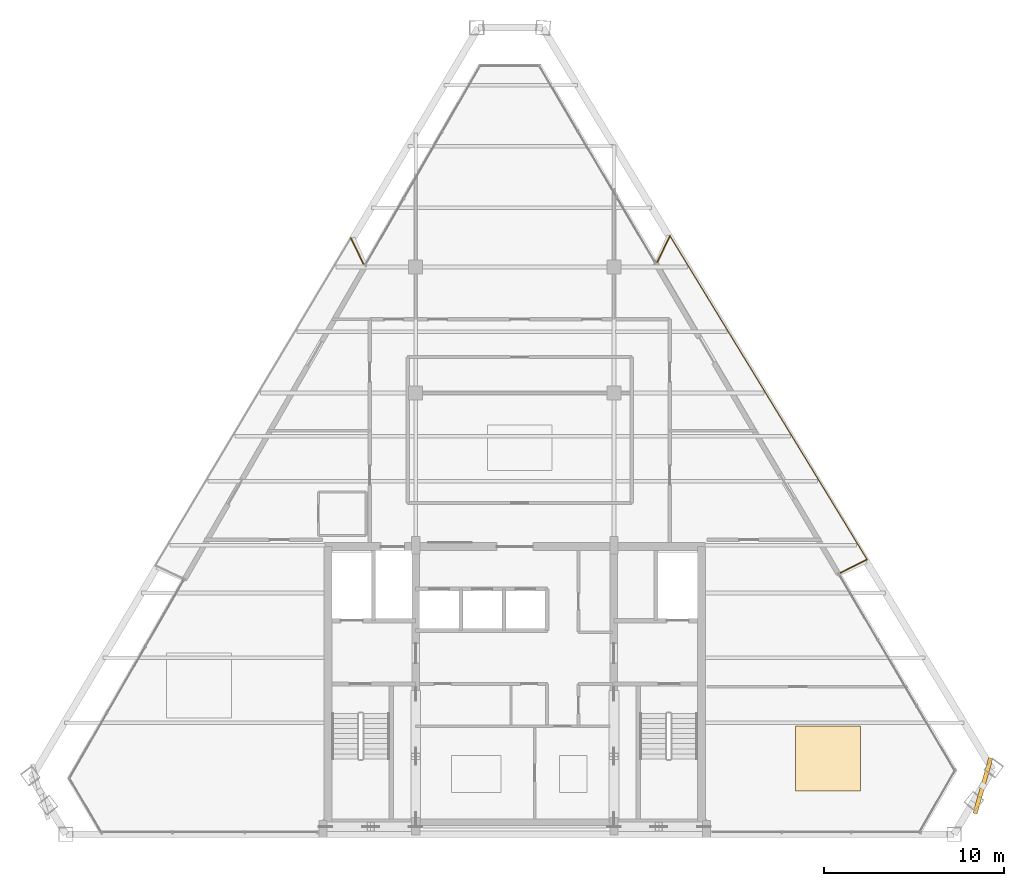
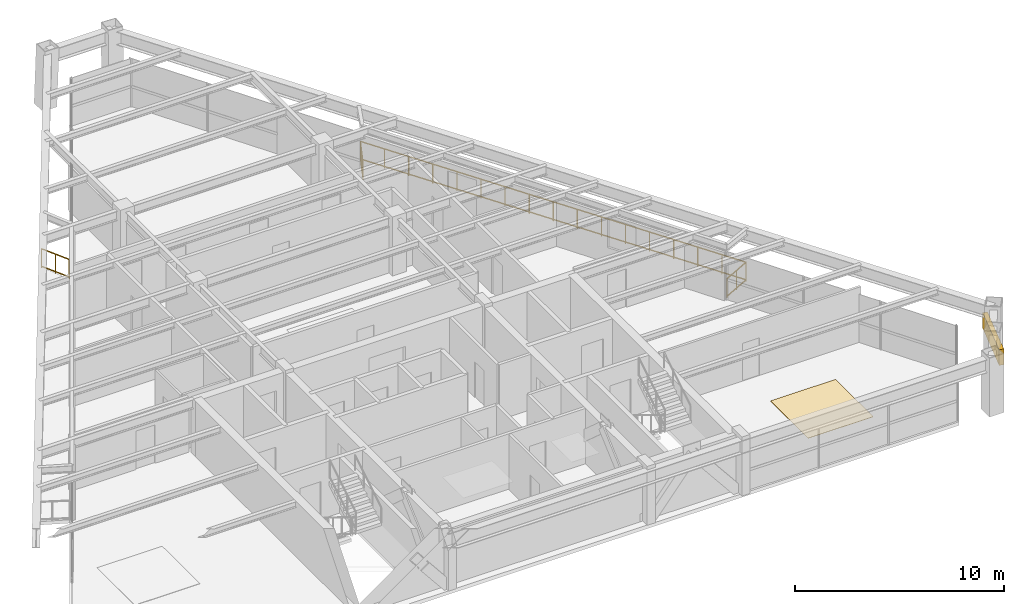
# One storey, part 13 of 13: 4 railings, 1 covering, 1 shading device.
"""IFC4 building model written with IfcOpenShell, lengths in metres."""

from ifc_helpers import new_model, si_unit, direction, frame, origin, origin_2d, place, context, subcontext, project, spatial, rectangle, extrude, source, transform, mapped, material, layer, layer_set, type_object, type_shapes, element, save


model = new_model("IFC4")

# Units and contexts
model_context = context("Model", 3, precision=1e-05, world=origin(), true_north=direction((0.0, 1.0)))
body_context = subcontext(model_context, "Body", "Model", "MODEL_VIEW")
ifc_project = project(units=[si_unit("LENGTHUNIT", "METRE"), si_unit("AREAUNIT", "SQUARE_METRE"), si_unit("VOLUMEUNIT", "CUBIC_METRE"), si_unit("PLANEANGLEUNIT", "RADIAN"), si_unit("MASSUNIT", "GRAM", prefix="KILO")], contexts=[model_context])

# Site, building, storey
site_placement = place(None, origin())
site = spatial("IfcSite", under=ifc_project, at=site_placement, CompositionType="ELEMENT")
building_placement = place(site_placement, origin())
building = spatial("IfcBuilding", under=site, at=building_placement, Name="Varnakhor Terracotta Tower", CompositionType="ELEMENT")
storey_placement = place(building_placement, frame((0.0, 0.0, 279.89990234375)))
storey = spatial("IfcBuildingStorey", under=building, at=storey_placement, Name="L73", CompositionType="ELEMENT", Elevation=279.89990234375)

# Railings
ifc_material_1 = material(Name="Stainless Steel & Laminated Glass Guardrail", Category="steel")
railing_type = type_object("IfcRailingType", Name="RLG-LOGGIA-GUARD-1150", PredefinedType="GUARDRAIL", material=ifc_material_1)
railing_1_placement = place(storey_placement, frame((7.9169921875, 31.787841796875, 0.0)))
element("IfcRailing", 1, at=railing_1_placement, inside=storey, type_object=railing_type, Name="L73 E Loggia Glass Guard 1", PredefinedType="GUARDRAIL", context=body_context, shape_type="SweptSolid", body=[
    extrude(rectangle(XDim=0.048095703125, YDim=0.048095703125, at=origin_2d()), frame((0.0, 0.0, 1.1259765625), z_axis=(0.435899520157, 0.899995337947, 0.0), x_axis=(-0.899995337947, 0.435899520157, 0.0)), (0.0, 0.0, 1.0), 1.601806640625),
    extrude(rectangle(XDim=0.048095703125, YDim=0.048095703125, at=origin_2d()), frame((0.0, 0.0, 0.10009765625), z_axis=(0.435899520157, 0.899995337947, 0.0), x_axis=(-0.899995337947, 0.435899520157, 0.0)), (0.0, 0.0, 1.0), 1.601806640625),
    extrude(rectangle(XDim=0.0419921875, YDim=0.0419921875, at=origin_2d()), origin(), (0.0, 0.0, 1.0), 1.101806640625),
    extrude(rectangle(XDim=0.0419921875, YDim=0.0419921875, at=origin_2d()), frame((0.34912109375, 0.720703125, 0.0)), (0.0, 0.0, 1.0), 1.101806640625),
    extrude(rectangle(XDim=0.0419921875, YDim=0.0419921875, at=origin_2d()), frame((0.6982421875, 1.441650390625, 0.0)), (0.0, 0.0, 1.0), 1.101806640625),
])
railing_2_placement = place(storey_placement, frame((8.615234375, 33.2294921875, 0.0)))
element("IfcRailing", 2, at=railing_2_placement, inside=storey, type_object=railing_type, Name="L73 E Loggia Glass Guard 2", PredefinedType="GUARDRAIL", context=body_context, shape_type="SweptSolid", body=[
    extrude(rectangle(XDim=0.048095703125, YDim=0.048095703125, at=origin_2d()), frame((0.0, 0.0, 1.1259765625), z_axis=(0.520196771858, -0.854046438169, 0.0), x_axis=(0.854046438169, 0.520196771858, 0.0)), (0.0, 0.0, 1.0), 21.048583984375),
    extrude(rectangle(XDim=0.048095703125, YDim=0.048095703125, at=origin_2d()), frame((0.0, 0.0, 0.10009765625), z_axis=(0.520196771858, -0.854046438169, 0.0), x_axis=(0.854046438169, 0.520196771858, 0.0)), (0.0, 0.0, 1.0), 21.048583984375),
    extrude(rectangle(XDim=0.0419921875, YDim=0.0419921875, at=origin_2d()), origin(), (0.0, 0.0, 1.0), 1.101806640625),
    extrude(rectangle(XDim=0.0419921875, YDim=0.0419921875, at=origin_2d()), frame((0.684326171875, -1.12353515625, 0.0)), (0.0, 0.0, 1.0), 1.101806640625),
    extrude(rectangle(XDim=0.0419921875, YDim=0.0419921875, at=origin_2d()), frame((1.36865234375, -2.2470703125, 0.0)), (0.0, 0.0, 1.0), 1.101806640625),
    extrude(rectangle(XDim=0.0419921875, YDim=0.0419921875, at=origin_2d()), frame((2.052978515625, -3.37060546875, 0.0)), (0.0, 0.0, 1.0), 1.101806640625),
    extrude(rectangle(XDim=0.0419921875, YDim=0.0419921875, at=origin_2d()), frame((2.7373046875, -4.494140625, 0.0)), (0.0, 0.0, 1.0), 1.101806640625),
    extrude(rectangle(XDim=0.0419921875, YDim=0.0419921875, at=origin_2d()), frame((3.421630859375, -5.61767578125, 0.0)), (0.0, 0.0, 1.0), 1.101806640625),
    extrude(rectangle(XDim=0.0419921875, YDim=0.0419921875, at=origin_2d()), frame((4.10595703125, -6.7412109375, 0.0)), (0.0, 0.0, 1.0), 1.101806640625),
    extrude(rectangle(XDim=0.0419921875, YDim=0.0419921875, at=origin_2d()), frame((4.790283203125, -7.86474609375, 0.0)), (0.0, 0.0, 1.0), 1.101806640625),
    extrude(rectangle(XDim=0.0419921875, YDim=0.0419921875, at=origin_2d()), frame((5.474609375, -8.98828125, 0.0)), (0.0, 0.0, 1.0), 1.101806640625),
    extrude(rectangle(XDim=0.0419921875, YDim=0.0419921875, at=origin_2d()), frame((6.1591796875, -10.11181640625, 0.0)), (0.0, 0.0, 1.0), 1.101806640625),
    extrude(rectangle(XDim=0.0419921875, YDim=0.0419921875, at=origin_2d()), frame((6.843505859375, -11.2353515625, 0.0)), (0.0, 0.0, 1.0), 1.101806640625),
    extrude(rectangle(XDim=0.0419921875, YDim=0.0419921875, at=origin_2d()), frame((7.52783203125, -12.35888671875, 0.0)), (0.0, 0.0, 1.0), 1.101806640625),
    extrude(rectangle(XDim=0.0419921875, YDim=0.0419921875, at=origin_2d()), frame((8.212158203125, -13.482421875, 0.0)), (0.0, 0.0, 1.0), 1.101806640625),
    extrude(rectangle(XDim=0.0419921875, YDim=0.0419921875, at=origin_2d()), frame((8.896484375, -14.60595703125, 0.0)), (0.0, 0.0, 1.0), 1.101806640625),
    extrude(rectangle(XDim=0.0419921875, YDim=0.0419921875, at=origin_2d()), frame((9.580810546875, -15.7294921875, 0.0)), (0.0, 0.0, 1.0), 1.101806640625),
    extrude(rectangle(XDim=0.0419921875, YDim=0.0419921875, at=origin_2d()), frame((10.26513671875, -16.85302734375, 0.0)), (0.0, 0.0, 1.0), 1.101806640625),
    extrude(rectangle(XDim=0.0419921875, YDim=0.0419921875, at=origin_2d()), frame((10.949462890625, -17.9765625, 0.0)), (0.0, 0.0, 1.0), 1.101806640625),
])
railing_3_placement = place(storey_placement, frame((19.564697265625, 15.2529296875, 0.0)))
element("IfcRailing", 3, at=railing_3_placement, inside=storey, type_object=railing_type, Name="L73 E Loggia Glass Guard 3", PredefinedType="GUARDRAIL", context=body_context, shape_type="SweptSolid", body=[
    extrude(rectangle(XDim=0.048095703125, YDim=0.048095703125, at=origin_2d()), frame((0.0, 0.0, 1.1259765625), z_axis=(-0.894784461355, -0.446498340107, 0.0), x_axis=(0.446498340107, -0.894784461355, 0.0)), (0.0, 0.0, 1.0), 1.638671875),
    extrude(rectangle(XDim=0.048095703125, YDim=0.048095703125, at=origin_2d()), frame((0.0, 0.0, 0.10009765625), z_axis=(-0.894784461355, -0.446498340107, 0.0), x_axis=(0.446498340107, -0.894784461355, 0.0)), (0.0, 0.0, 1.0), 1.638671875),
    extrude(rectangle(XDim=0.0419921875, YDim=0.0419921875, at=origin_2d()), origin(), (0.0, 0.0, 1.0), 1.101806640625),
    extrude(rectangle(XDim=0.0419921875, YDim=0.0419921875, at=origin_2d()), frame((-0.733154296875, -0.36572265625, 0.0)), (0.0, 0.0, 1.0), 1.101806640625),
    extrude(rectangle(XDim=0.0419921875, YDim=0.0419921875, at=origin_2d()), frame((-1.46630859375, -0.731689453125, 0.0)), (0.0, 0.0, 1.0), 1.101806640625),
])
railing_4_placement = place(storey_placement, frame((-9.102294921875, 33.1064453125, 0.0)))
element("IfcRailing", 4, at=railing_4_placement, inside=storey, type_object=railing_type, Name="L73 W Loggia Glass Guard 3", PredefinedType="GUARDRAIL", context=body_context, shape_type="SweptSolid", body=[
    extrude(rectangle(XDim=0.048095703125, YDim=0.048095703125, at=origin_2d()), frame((0.0, 0.0, 1.1259765625), z_axis=(0.439807122689, -0.898092252963, 0.0), x_axis=(0.898092252963, 0.439807122689, 0.0)), (0.0, 0.0, 1.0), 1.5986328125),
    extrude(rectangle(XDim=0.048095703125, YDim=0.048095703125, at=origin_2d()), frame((0.0, 0.0, 0.10009765625), z_axis=(0.439807122689, -0.898092252963, 0.0), x_axis=(0.898092252963, 0.439807122689, 0.0)), (0.0, 0.0, 1.0), 1.5986328125),
    extrude(rectangle(XDim=0.0419921875, YDim=0.0419921875, at=origin_2d()), origin(), (0.0, 0.0, 1.0), 1.101806640625),
    extrude(rectangle(XDim=0.0419921875, YDim=0.0419921875, at=origin_2d()), frame((0.3515625, -0.7177734375, 0.0)), (0.0, 0.0, 1.0), 1.101806640625),
    extrude(rectangle(XDim=0.0419921875, YDim=0.0419921875, at=origin_2d()), frame((0.703125, -1.435791015625, 0.0)), (0.0, 0.0, 1.0), 1.101806640625),
])

# Shading device
ifc_material_2 = material(Name="Extruded Architectural Terracotta Screen", Category="masonry")
shading_device_type = type_object("IfcShadingDeviceType", Name="TERRACOTTA SOLAR SCREEN E", PredefinedType="USERDEFINED", material=ifc_material_2)
shared_shape_1 = source(origin(), body_context, "Body", "SweptSolid", [
    extrude(rectangle(XDim=3.199951171875, YDim=0.239990234375, at=origin_2d()), origin(), (0.0, 0.0, 1.0), 0.919921875),
])
type_shapes(shading_device_type, [shared_shape_1])
shading_device_placement = place(storey_placement, frame((25.99462890625, 2.6943359375, 1.562255859375), z_axis=(0.0, 0.0, 1.0), x_axis=(0.272162687904, 0.962251251656, 0.0)))
element("IfcShadingDevice", 5, at=shading_device_placement, inside=storey, type_object=shading_device_type, Name="L73 E Terracotta Solar Screen", ObjectType="SCREEN", PredefinedType="USERDEFINED", context=body_context, shape_type="MappedRepresentation", body=[
    mapped(shared_shape_1, transform((0.0, 0.0, 0.0), scale=1.0)),
])

# Covering
ifc_material_3 = material(Name="Honed Riyadh Limestone Flooring", Category="masonry")
ifc_layer = layer(ifc_material_3, 0.030029296875, Name="Honed Riyadh Limestone Flooring")
ifc_layer_set = layer_set([ifc_layer], Name="Honed Riyadh Limestone Flooring")
covering_type = type_object("IfcCoveringType", Name="COV-FLOOR-LIMESTONE", PredefinedType="FLOORING", material=ifc_layer_set)
shared_shape_2 = source(origin(), body_context, "Body", "SweptSolid", [
    extrude(rectangle(XDim=3.60009765625, YDim=3.60009765625, at=origin_2d()), origin(), (0.0, 0.0, 1.0), 0.02001953125),
])
covering_placement = place(storey_placement, frame((17.385009765625, 4.2041015625, 0.0), z_axis=(0.0, 0.0, 1.0), x_axis=(1.0, 0.0, 0.0)))
element("IfcCovering", 6, at=covering_placement, inside=storey, type_object=covering_type, Name="L73 Honed Stone Flooring 4", PredefinedType="FLOORING", context=body_context, shape_type="MappedRepresentation", body=[
    mapped(shared_shape_2, transform((0.0, 0.0, 0.0), scale=1.0)),
])

save(model, "model.ifc")
